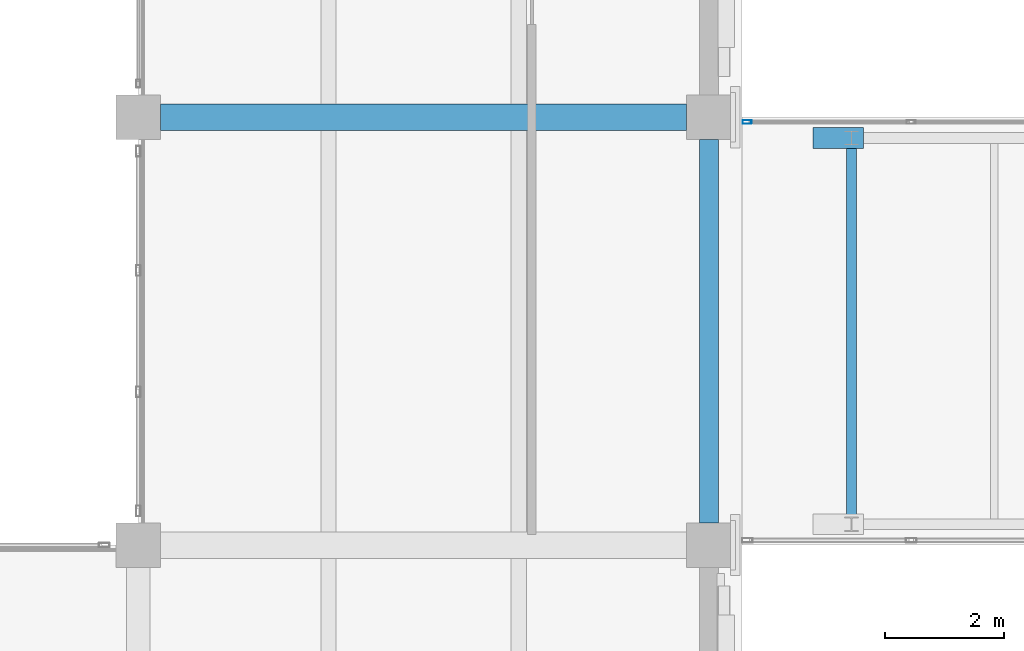
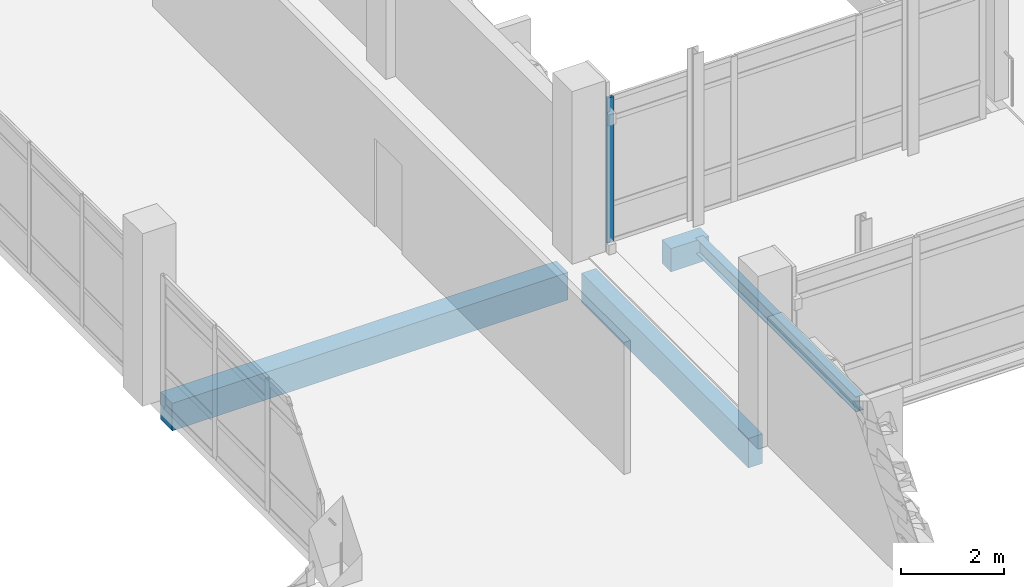
# One storey, part 104 of 180: 4 beams, 1 member, 1 element without a shape of its own.
"""IFC4 building model written with IfcOpenShell, lengths in metres."""

from ifc_helpers import new_model, si_unit, direction, frame, origin, origin_2d, place, context, subcontext, project, spatial, rectangle, hollow_rectangle, i_section, extrude, material, layer, layer_set, material_profile, profile_set, type_object, element, aggregate, save


model = new_model("IFC4")

# Units and contexts
model_context = context("Model", 3, precision=1e-05, world=origin(), true_north=direction((0.0, 1.0)))
body_context = subcontext(model_context, "Body", "Model", "MODEL_VIEW")
ifc_project = project(units=[si_unit("LENGTHUNIT", "METRE"), si_unit("AREAUNIT", "SQUARE_METRE"), si_unit("VOLUMEUNIT", "CUBIC_METRE"), si_unit("PLANEANGLEUNIT", "RADIAN"), si_unit("MASSUNIT", "GRAM", prefix="KILO")], contexts=[model_context])

# Site, building, storey
site_placement = place(None, origin())
site = spatial("IfcSite", under=ifc_project, at=site_placement, CompositionType="ELEMENT")
building_placement = place(site_placement, origin())
building = spatial("IfcBuilding", under=site, at=building_placement, Name="Asteropetra Specialist Clinic", CompositionType="ELEMENT")
storey_placement = place(building_placement, frame((0.0, 0.0, 4.419921875)))
storey = spatial("IfcBuildingStorey", under=building, at=storey_placement, Name="L01", CompositionType="ELEMENT", Elevation=4.419921875)

# Beams
ifc_material_1 = material(Name="Concrete C35/45", Category="concrete")
ifc_material_profile_1 = material_profile(ifc_material_1, rectangle(XDim=0.35009765625, YDim=0.550048828125, at=origin_2d()), Name="RCB 350x550")
ifc_profile_set_1 = profile_set([ifc_material_profile_1], Name="Concrete C35/45")
beam_type_1 = type_object("IfcBeamType", Name="BM-RC350x550", PredefinedType="BEAM", material=ifc_profile_set_1)
beam_1_placement = place(storey_placement, frame((79.39990234375, 83.64990234375, -0.559814453125), z_axis=(-1.0, 0.0, 0.0), x_axis=(0.0, -1.0, 0.0)))
element("IfcBeam", 1, at=beam_1_placement, inside=storey, type_object=beam_type_1, Name="Bridge Bearing Seat Corbel CRB-23", PredefinedType="BEAM", context=body_context, shape_type="SweptSolid", body=[
    extrude(rectangle(XDim=0.35009765625, YDim=0.550048828125, at=origin_2d()), origin(), (0.0, 0.0, 1.0), 0.849853515625),
])
ifc_material_2 = material(Name="Concrete C35/45", Category="concrete")
ifc_material_profile_2 = material_profile(ifc_material_2, rectangle(XDim=0.449951171875, YDim=0.64990234375, at=origin_2d()), Name="RCB 450x650")
ifc_profile_set_2 = profile_set([ifc_material_profile_2], Name="Concrete C35/45")
beam_type_2 = type_object("IfcBeamType", Name="BM-RC450x650", PredefinedType="BEAM", material=ifc_profile_set_2)
beam_2_placement = place(storey_placement, frame((67.574951171875, 84.0, -0.60498046875), z_axis=(1.0, 0.0, 0.0), x_axis=(0.0, 1.0, 0.0)))
element("IfcBeam", 2, at=beam_2_placement, inside=storey, type_object=beam_type_2, Name="Beam BBM06-0641", PredefinedType="BEAM", context=body_context, shape_type="SweptSolid", body=[
    extrude(rectangle(XDim=0.449951171875, YDim=0.64990234375, at=origin_2d()), origin(), (0.0, 0.0, 1.0), 8.85009765625),
])
ifc_material_3 = material(Name="Steel S355", Category="steel")
ifc_material_profile_3 = material_profile(ifc_material_3, i_section(OverallWidth=0.169921875, OverallDepth=0.360107421875, WebThickness=0.008056640625, FlangeThickness=0.0126953125, FilletRadius=0.01806640625, at=origin_2d()), Name="IPE 360")
ifc_profile_set_3 = profile_set([ifc_material_profile_3], Name="Steel S355")
beam_type_3 = type_object("IfcBeamType", Name="BM-STL-IPE360", PredefinedType="BEAM", material=ifc_profile_set_3)
beam_3_placement = place(storey_placement, frame((79.199951171875, 77.300048828125, -0.419921875), z_axis=(0.0, 1.0, 0.0), x_axis=(-1.0, 0.0, 0.0)))
element("IfcBeam", 3, at=beam_3_placement, inside=storey, type_object=beam_type_3, Name="Beam BBMS4-0824", PredefinedType="BEAM", context=body_context, shape_type="SweptSolid", body=[
    extrude(i_section(OverallWidth=0.169921875, OverallDepth=0.360107421875, WebThickness=0.008056640625, FlangeThickness=0.0126953125, FilletRadius=0.01806640625, at=origin_2d()), origin(), (0.0, 0.0, 1.0), 6.199951171875),
])

# Curtain wall, member
ifc_material_4 = material(Name="Aluminium and low-E glass", Category="aluminium")
ifc_layer = layer(ifc_material_4, 0.14990234375)
ifc_layer_set = layer_set([ifc_layer], Name="Aluminium and low-E glass")
curtain_wall_type = type_object("IfcCurtainWallType", Name="CW-SYS-02", PredefinedType="USERDEFINED", material=ifc_layer_set)
curtain_wall_placement = place(storey_placement, origin())
curtain_wall = element("IfcCurtainWall", 4, at=curtain_wall_placement, inside=storey, type_object=curtain_wall_type, Name="Curtain Wall CW-112", ObjectType="UNITISED CURTAIN WALL", PredefinedType="USERDEFINED")
ifc_material_5 = material(Name="Aluminium 6063-T6", Category="aluminium")
ifc_material_profile_4 = material_profile(ifc_material_5, hollow_rectangle(XDim=0.06494140625, YDim=0.14990234375, WallThickness=0.00390625, InnerFilletRadius=0.00390625, OuterFilletRadius=0.008056640625, at=origin_2d()), Name="MUL 150x65x4.0")
ifc_profile_set_4 = profile_set([ifc_material_profile_4], Name="Aluminium 6063-T6")
member_type = type_object("IfcMemberType", Name="CWM-150x65", PredefinedType="MULLION", material=ifc_profile_set_4)
member_placement = place(storey_placement, frame((77.4423828125, 83.919921875, 0.0), z_axis=(0.0, 0.0, 1.0), x_axis=(0.0, -1.0, 0.0)))
member = element("IfcMember", 5, at=member_placement, type_object=member_type, Name="CW-112 mullion 4", PredefinedType="MULLION", context=body_context, shape_type="SweptSolid", body=[
    extrude(hollow_rectangle(XDim=0.06494140625, YDim=0.14990234375, WallThickness=0.00390625, InnerFilletRadius=0.00390625, OuterFilletRadius=0.008056640625, at=origin_2d()), origin(), (0.0, 0.0, 1.0), 3.43017578125),
])
aggregate(curtain_wall, [member])

# Beam
ifc_material_6 = material(Name="Concrete C35/45", Category="concrete")
ifc_material_profile_5 = material_profile(ifc_material_6, rectangle(XDim=0.320068359375, YDim=0.699951171875, at=origin_2d()), Name="RCS 320x700")
ifc_profile_set_5 = profile_set([ifc_material_profile_5], Name="Concrete C35/45")
beam_type_4 = type_object("IfcBeamType", Name="SPN-RC320x700", PredefinedType="SPANDREL", material=ifc_profile_set_5)
beam_4_placement = place(storey_placement, frame((76.800048828125, 77.175048828125, -0.6298828125), z_axis=(0.0, 1.0, 0.0), x_axis=(-1.0, 0.0, 0.0)))
element("IfcBeam", 6, at=beam_4_placement, inside=storey, type_object=beam_type_4, Name="Beam BSPN02-0687", PredefinedType="SPANDREL", context=body_context, shape_type="SweptSolid", body=[
    extrude(rectangle(XDim=0.320068359375, YDim=0.699951171875, at=origin_2d()), origin(), (0.0, 0.0, 1.0), 6.449951171875),
])

save(model, "model.ifc")
